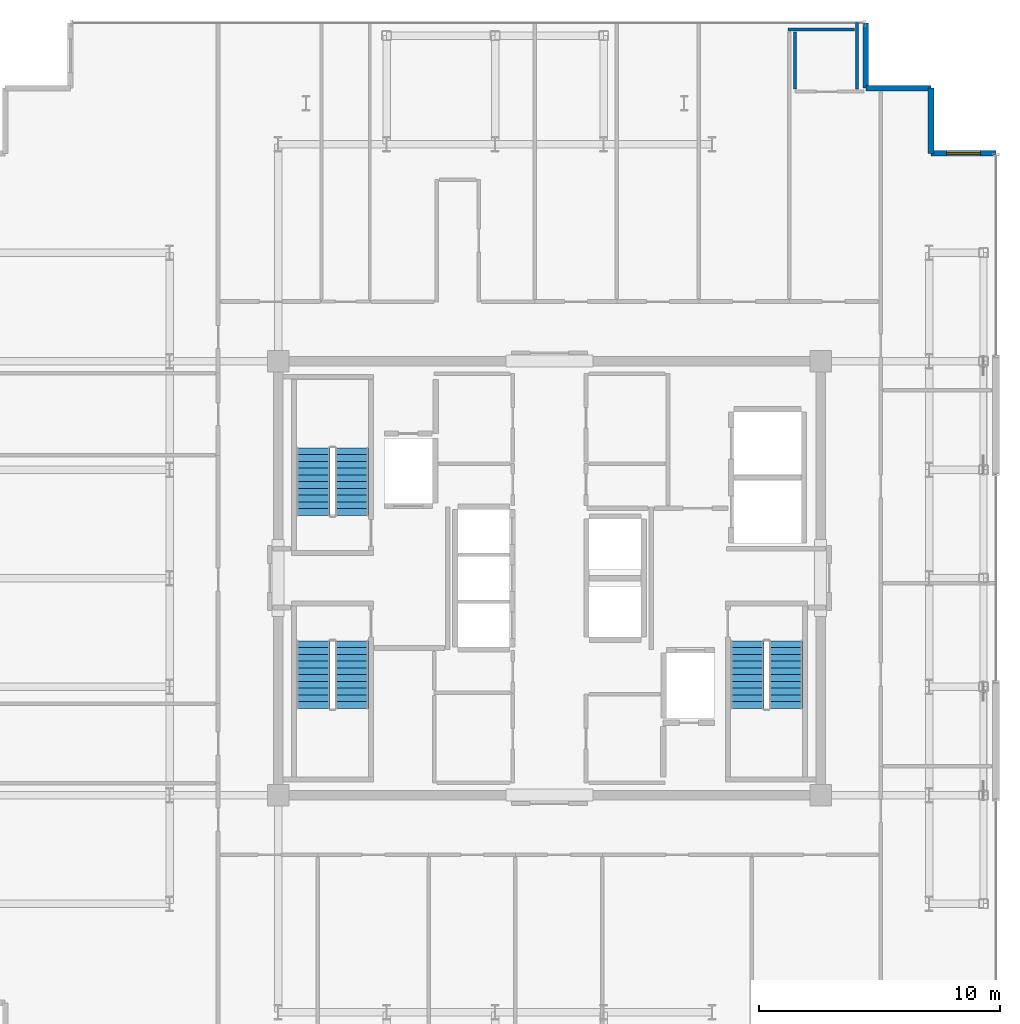
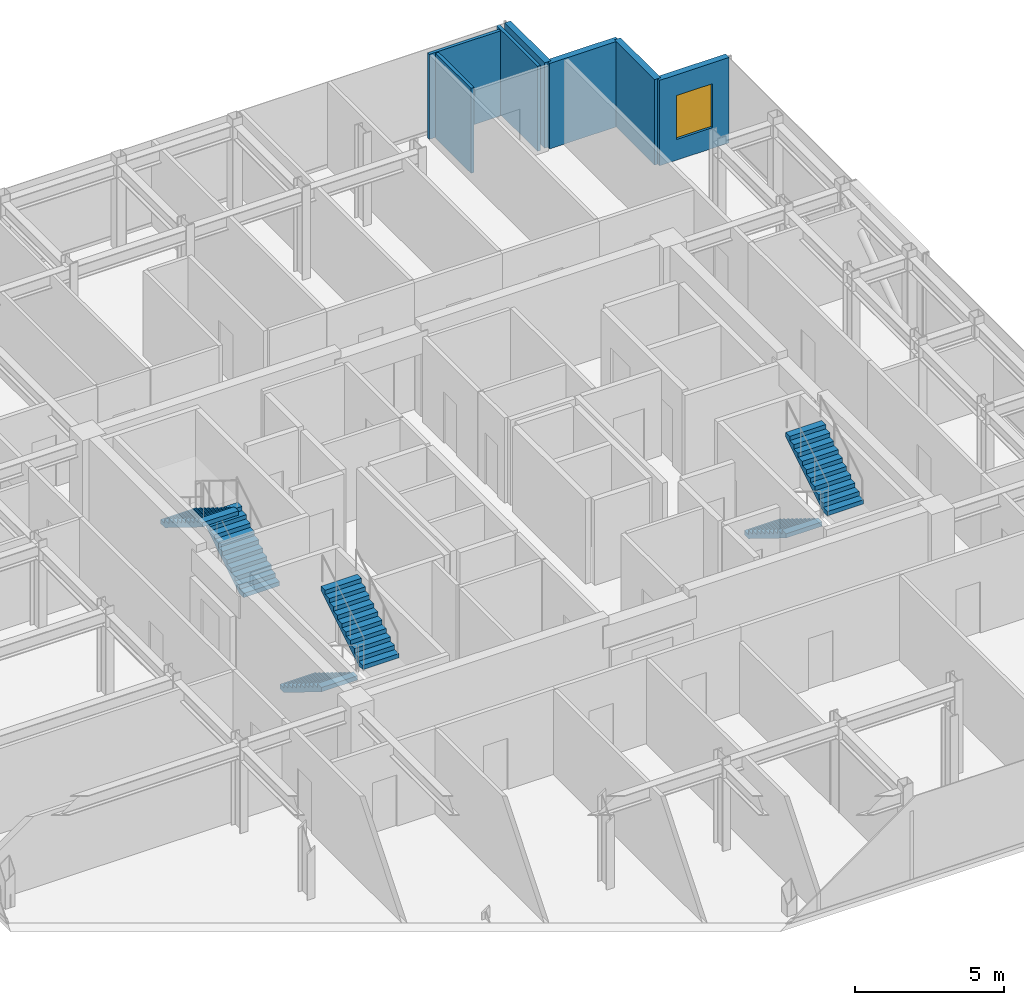
# One storey, part 15 of 16: 7 walls, 6 stair flights, 1 window, 1 opening, 3 elements without a shape of their own.
"""IFC4 building model written with IfcOpenShell, lengths in metres."""

from ifc_helpers import new_model, si_unit, direction, frame, frame_2d, origin, place, context, subcontext, project, spatial, polyline, rectangle, outline, extrude, source, transform, mapped, material, layer, layer_set, type_object, element, fill, aggregate, save


model = new_model("IFC4")

# Units and contexts
model_context = context("Model", 3, precision=1e-05, world=origin(), true_north=direction((0.0, 1.0)))
body_context = subcontext(model_context, "Body", "Model", "MODEL_VIEW")
ifc_project = project(units=[si_unit("LENGTHUNIT", "METRE"), si_unit("AREAUNIT", "SQUARE_METRE"), si_unit("VOLUMEUNIT", "CUBIC_METRE"), si_unit("PLANEANGLEUNIT", "RADIAN"), si_unit("MASSUNIT", "GRAM", prefix="KILO")], contexts=[model_context])

# Site, building, storey
site_placement = place(None, origin())
site = spatial("IfcSite", under=ifc_project, at=site_placement, CompositionType="ELEMENT")
building_placement = place(site_placement, origin())
building = spatial("IfcBuilding", under=site, at=building_placement, Name="Nefas-Gora Pilgrimage Tower", CompositionType="ELEMENT")
storey_placement = place(building_placement, frame((0.0, 0.0, 345.199951171875)))
storey = spatial("IfcBuildingStorey", under=building, at=storey_placement, Name="L87", CompositionType="ELEMENT", Elevation=345.199951171875)

# Wall, opening, window
ifc_material_1 = material(Name="Precast concrete C45/55", Category="concrete")
ifc_layer_1 = layer(ifc_material_1, 0.239990234375)
ifc_layer_set_1 = layer_set([ifc_layer_1], Name="Precast concrete C45/55")
wall_type_1 = type_object("IfcWallType", Name="EW-SERR-240", PredefinedType="SHEAR", material=ifc_layer_set_1)
shared_shape_1 = source(origin(), body_context, "Body", "SweptSolid", [
    extrude(rectangle(XDim=2.699951171875, YDim=0.239990234375, at=frame_2d((1.35009765625, 0.0))), origin(), (0.0, 0.0, 1.0), 3.5),
])
wall_1_placement = place(storey_placement, frame((18.52001953125, 17.6201171875, 0.0), z_axis=(0.0, 0.0, 1.0), x_axis=(-1.0, 0.0, 0.0)))
wall_1 = element("IfcWall", 1, at=wall_1_placement, inside=storey, type_object=wall_type_1, Name="L87 Serrated Corner Shear Pier Wall 5", PredefinedType="SHEAR", context=body_context, shape_type="MappedRepresentation", body=[
    mapped(shared_shape_1, transform((0.0, 0.0, 0.0), x_axis=(1.0, 0.0, 0.0), y_axis=(0.0, 1.0, 0.0), z_axis=(0.0, 0.0, 1.0), scale=1.0)),
])
opening_placement = place(wall_1_placement, frame((0.64990234375, 0.0, 0.85009765625)))
opening = element("IfcOpeningElement", 2, at=opening_placement, cuts=wall_1, Name="Opening W-V2", PredefinedType="OPENING", context=body_context, shape_type="SweptSolid", body=[
    extrude(rectangle(XDim=1.39990234375, YDim=1.800048828125, at=frame_2d((0.699951171875, 0.89990234375))), frame((0.0, 0.1298828125, 0.0), z_axis=(0.0, -1.0, 0.0), x_axis=(1.0, 0.0, 0.0)), (0.0, 0.0, 1.0), 0.260009765625),
])
ifc_material_2 = material(Name="Dark ceramic-fritted operable aluminium-glass window", Category="aluminium")
window_type = type_object("IfcWindowType", Name="WIN-VENT-1400x1800", PartitioningType="SINGLE_PANEL", PredefinedType="WINDOW", material=ifc_material_2)
shared_shape_2 = source(origin(), body_context, "Body", "SweptSolid", [
    extrude(rectangle(XDim=1.39990234375, YDim=1.800048828125, at=frame_2d((0.699951171875, 0.89990234375))), frame((0.0, 0.030029296875, 0.0), z_axis=(0.0, -1.0, 0.0), x_axis=(1.0, 0.0, 0.0)), (0.0, 0.0, 1.0), 0.06005859375),
])
window_placement = place(opening_placement, origin())
window = element("IfcWindow", 3, at=window_placement, inside=storey, type_object=window_type, Name="L87 Operable Parallel-Outswing Window 5", OverallHeight=1.800048828125, OverallWidth=1.39990234375, PartitioningType="SINGLE_PANEL", PredefinedType="WINDOW", context=body_context, shape_type="MappedRepresentation", body=[
    mapped(shared_shape_2, transform((0.0, 0.0, 0.0), x_axis=(1.0, 0.0, 0.0), y_axis=(0.0, 1.0, 0.0), z_axis=(0.0, 0.0, 1.0), scale=1.0)),
])
fill(opening, window)

# Walls
for number, where, z_axis, x_axis, name in (
    (4, (15.820068359375, 17.6201171875, 0.0), (0.0, 0.0, 1.0), (0.0, 1.0, 0.0), "L87 Serrated Corner Shear Pier Wall 6"),
    (5, (15.820068359375, 20.320068359375, 0.0), (0.0, 0.0, 1.0), (-1.0, 0.0, 0.0), "L87 Serrated Corner Shear Pier Wall 7"),
    (6, (13.1201171875, 20.320068359375, 0.0), (0.0, 0.0, 1.0), (0.0, 1.0, 0.0), "L87 Serrated Corner Shear Pier Wall 8"),
):
    element("IfcWall", number, at=place(storey_placement, frame(where, z_axis=z_axis, x_axis=x_axis)), inside=storey, type_object=wall_type_1, Name=name, PredefinedType="SHEAR", context=body_context, shape_type="MappedRepresentation", body=[
        mapped(shared_shape_1, transform((0.0, 0.0, 0.0), x_axis=(1.0, 0.0, 0.0), y_axis=(0.0, 1.0, 0.0), z_axis=(0.0, 0.0, 1.0), scale=1.0)),
    ])
ifc_material_3 = material(Name="Moisture-resistant fire-rated gypsum partition")
ifc_layer_2 = layer(ifc_material_3, 0.1201171875)
ifc_layer_set_2 = layer_set([ifc_layer_2], Name="Moisture-resistant fire-rated gypsum partition")
wall_type_2 = type_object("IfcWallType", Name="IW-WET-120", PredefinedType="PLUMBINGWALL", material=ifc_layer_set_2)
shared_shape_3 = source(origin(), body_context, "Body", "SweptSolid", [
    extrude(rectangle(XDim=2.3798828125, YDim=0.1201171875, at=frame_2d((1.18994140625, 0.0))), origin(), (0.0, 0.0, 1.0), 3.485107421875),
])
wall_2_placement = place(storey_placement, frame((10.179931640625, 20.280029296875, 0.0), z_axis=(0.0, 0.0, 1.0), x_axis=(0.0, 1.0, 0.0)))
element("IfcWall", 7, at=wall_2_placement, inside=storey, type_object=wall_type_2, Name="L87 En-Suite Bathroom Wall 22", PredefinedType="PLUMBINGWALL", context=body_context, shape_type="MappedRepresentation", body=[
    mapped(shared_shape_3, transform((0.0, 0.0, 0.0), x_axis=(1.0, 0.0, 0.0), y_axis=(0.0, 1.0, 0.0), z_axis=(0.0, 0.0, 1.0), scale=1.0)),
])
shared_shape_4 = source(origin(), body_context, "Body", "SweptSolid", [
    extrude(rectangle(XDim=2.760009765625, YDim=0.1201171875, at=frame_2d((1.3798828125, 0.0))), origin(), (0.0, 0.0, 1.0), 3.485107421875),
])
for number, where, z_axis, x_axis, name in (
    (8, (12.760009765625, 20.280029296875, 0.0), (0.0, 0.0, 1.0), (0.0, 1.0, 0.0), "L87 En-Suite Bathroom Wall 20"),
    (9, (9.89990234375, 22.760009765625, 0.0), (0.0, 0.0, 1.0), (1.0, 0.0, 0.0), "L87 En-Suite Bathroom Wall 21"),
):
    element("IfcWall", number, at=place(storey_placement, frame(where, z_axis=z_axis, x_axis=x_axis)), inside=storey, type_object=wall_type_2, Name=name, PredefinedType="PLUMBINGWALL", context=body_context, shape_type="MappedRepresentation", body=[
        mapped(shared_shape_4, transform((0.0, 0.0, 0.0), x_axis=(1.0, 0.0, 0.0), y_axis=(0.0, 1.0, 0.0), z_axis=(0.0, 0.0, 1.0), scale=1.0)),
    ])

# Stair, stair flights
ifc_material_4 = material(Name="Concrete C45/55", Category="concrete")
stair_type = type_object("IfcStairType", Name="STR-1400-R1727", PredefinedType="HALF_TURN_STAIR", material=ifc_material_4)
stair_1_placement = place(storey_placement, origin())
stair_1 = element("IfcStair", 10, at=stair_1_placement, inside=storey, type_object=stair_type, Name="L87 Pressurised Tower Exit Stair ST-01", PredefinedType="HALF_TURN_STAIR")
stair_flight_type = type_object("IfcStairFlightType", Name="STF-1400-R1727", PredefinedType="STRAIGHT", material=ifc_material_4)
shared_shape_5 = source(origin(), body_context, "Body", "SweptSolid", [
    extrude(outline(polyline([(0.0, 0.0), (0.0, 0.172607421875), (0.280029296875, 0.172607421875), (0.280029296875, 0.345458984375), (0.56005859375, 0.345458984375), (0.56005859375, 0.51806640625), (0.840087890625, 0.51806640625), (0.840087890625, 0.69091796875), (1.1201171875, 0.69091796875), (1.1201171875, 0.863525390625), (1.39990234375, 0.863525390625), (1.39990234375, 1.036376953125), (1.679931640625, 1.036376953125), (1.679931640625, 1.208984375), (1.9599609375, 1.208984375), (1.9599609375, 1.3818359375), (2.239990234375, 1.3818359375), (2.239990234375, 1.554443359375), (2.52001953125, 1.554443359375), (2.52001953125, 1.727294921875), (2.800048828125, 1.727294921875), (2.800048828125, 1.89990234375), (2.800048828125, 1.551025390625), (0.285400390625, 0.0), (0.0, 0.0)])), frame((0.0, 0.699951171875, 0.0), z_axis=(0.0, -1.0, 0.0), x_axis=(1.0, 0.0, 0.0)), (0.0, 0.0, 1.0), 1.39990234375),
])
stair_flight_1_placement = place(storey_placement, frame((-8.199951171875, 2.60009765625, 0.0), z_axis=(0.0, 0.0, 1.0), x_axis=(0.0, 1.0, 0.0)))
stair_flight_1 = element("IfcStairFlight", 11, at=stair_flight_1_placement, type_object=stair_flight_type, Name="ST-01 flight 1", NumberOfRisers=11, NumberOfTreads=10, PredefinedType="STRAIGHT", RiserHeight=0.172727273, TreadLength=0.28, context=body_context, shape_type="MappedRepresentation", body=[
    mapped(shared_shape_5, transform((0.0, 0.0, 0.0), x_axis=(1.0, 0.0, 0.0), y_axis=(0.0, 1.0, 0.0), z_axis=(0.0, 0.0, 1.0), scale=1.0)),
])
stair_flight_2_placement = place(storey_placement, frame((-9.800048828125, 5.39990234375, 1.900146484375), z_axis=(0.0, 0.0, 1.0), x_axis=(0.0, -1.0, 0.0)))
stair_flight_2 = element("IfcStairFlight", 12, at=stair_flight_2_placement, type_object=stair_flight_type, Name="ST-01 flight 2", NumberOfRisers=11, NumberOfTreads=10, PredefinedType="STRAIGHT", RiserHeight=0.172727273, TreadLength=0.28, context=body_context, shape_type="MappedRepresentation", body=[
    mapped(shared_shape_5, transform((0.0, 0.0, 0.0), x_axis=(1.0, 0.0, 0.0), y_axis=(0.0, 1.0, 0.0), z_axis=(0.0, 0.0, 1.0), scale=1.0)),
])
aggregate(stair_1, [stair_flight_1, stair_flight_2])

stair_2_placement = place(storey_placement, origin())
stair_2 = element("IfcStair", 13, at=stair_2_placement, inside=storey, type_object=stair_type, Name="L87 Pressurised Tower Exit Stair ST-02", PredefinedType="HALF_TURN_STAIR")
stair_flight_3_placement = place(storey_placement, frame((8.199951171875, -2.60009765625, 0.0), z_axis=(0.0, 0.0, 1.0), x_axis=(0.0, -1.0, 0.0)))
stair_flight_3 = element("IfcStairFlight", 14, at=stair_flight_3_placement, type_object=stair_flight_type, Name="ST-02 flight 1", NumberOfRisers=11, NumberOfTreads=10, PredefinedType="STRAIGHT", RiserHeight=0.172727273, TreadLength=0.28, context=body_context, shape_type="MappedRepresentation", body=[
    mapped(shared_shape_5, transform((0.0, 0.0, 0.0), x_axis=(1.0, 0.0, 0.0), y_axis=(0.0, 1.0, 0.0), z_axis=(0.0, 0.0, 1.0), scale=1.0)),
])
stair_flight_4_placement = place(storey_placement, frame((9.800048828125, -5.39990234375, 1.900146484375), z_axis=(0.0, 0.0, 1.0), x_axis=(0.0, 1.0, 0.0)))
stair_flight_4 = element("IfcStairFlight", 15, at=stair_flight_4_placement, type_object=stair_flight_type, Name="ST-02 flight 2", NumberOfRisers=11, NumberOfTreads=10, PredefinedType="STRAIGHT", RiserHeight=0.172727273, TreadLength=0.28, context=body_context, shape_type="MappedRepresentation", body=[
    mapped(shared_shape_5, transform((0.0, 0.0, 0.0), x_axis=(1.0, 0.0, 0.0), y_axis=(0.0, 1.0, 0.0), z_axis=(0.0, 0.0, 1.0), scale=1.0)),
])
aggregate(stair_2, [stair_flight_3, stair_flight_4])

stair_3_placement = place(storey_placement, origin())
stair_3 = element("IfcStair", 16, at=stair_3_placement, inside=storey, type_object=stair_type, Name="L87 Pressurised Tower Exit Stair ST-03", PredefinedType="HALF_TURN_STAIR")
stair_flight_5_placement = place(storey_placement, frame((-9.800048828125, -2.60009765625, 0.0), z_axis=(0.0, 0.0, 1.0), x_axis=(0.0, -1.0, 0.0)))
stair_flight_5 = element("IfcStairFlight", 17, at=stair_flight_5_placement, type_object=stair_flight_type, Name="ST-03 flight 1", NumberOfRisers=11, NumberOfTreads=10, PredefinedType="STRAIGHT", RiserHeight=0.172727273, TreadLength=0.28, context=body_context, shape_type="MappedRepresentation", body=[
    mapped(shared_shape_5, transform((0.0, 0.0, 0.0), x_axis=(1.0, 0.0, 0.0), y_axis=(0.0, 1.0, 0.0), z_axis=(0.0, 0.0, 1.0), scale=1.0)),
])
stair_flight_6_placement = place(storey_placement, frame((-8.199951171875, -5.39990234375, 1.900146484375), z_axis=(0.0, 0.0, 1.0), x_axis=(0.0, 1.0, 0.0)))
stair_flight_6 = element("IfcStairFlight", 18, at=stair_flight_6_placement, type_object=stair_flight_type, Name="ST-03 flight 2", NumberOfRisers=11, NumberOfTreads=10, PredefinedType="STRAIGHT", RiserHeight=0.172727273, TreadLength=0.28, context=body_context, shape_type="MappedRepresentation", body=[
    mapped(shared_shape_5, transform((0.0, 0.0, 0.0), x_axis=(1.0, 0.0, 0.0), y_axis=(0.0, 1.0, 0.0), z_axis=(0.0, 0.0, 1.0), scale=1.0)),
])
aggregate(stair_3, [stair_flight_5, stair_flight_6])

save(model, "model.ifc")
